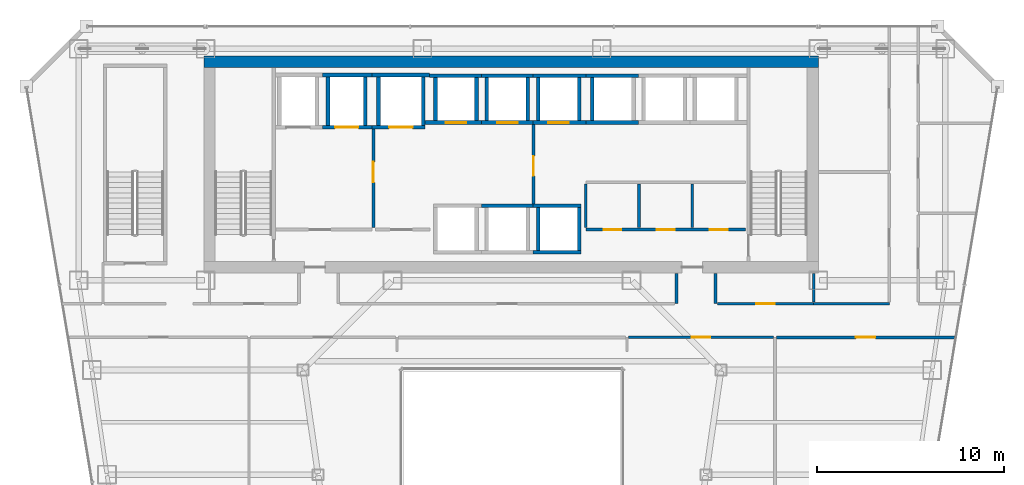
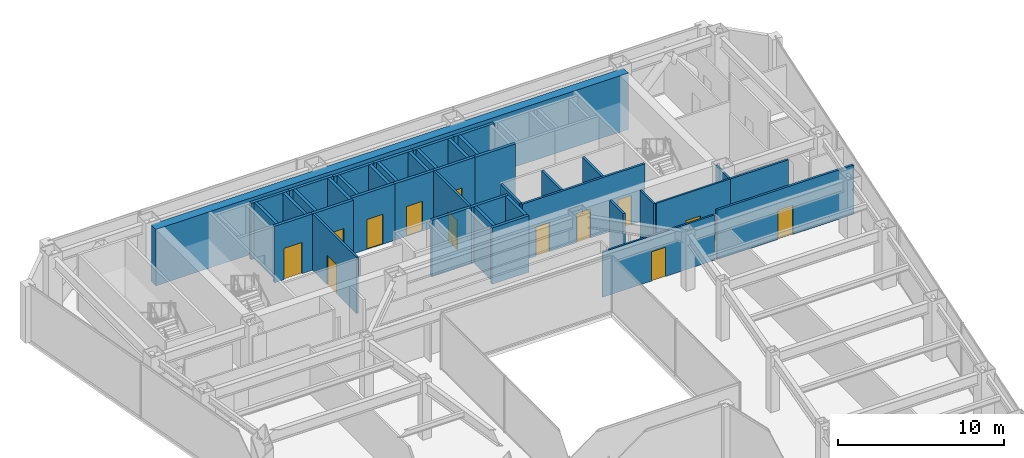
# One storey, part 33 of 37: 42 walls, 13 doors, 13 openings.
"""IFC4 building model written with IfcOpenShell, lengths in metres."""

import ifcopenshell
import ifcopenshell.guid

model = None  # the IFC model being written
_history = None  # IfcOwnerHistory: only IFC2X3 demands one
_inside = {}  # id of a spatial element -> (the spatial element, [elements in it])
_under = {}  # id of a project, library or spatial element -> (it, [spatial elements below it])
_declared = {}  # id of a project -> (the project, [libraries it declares])
_typed = {}  # id of a type object -> (the type object, [elements of that type])
_made_of = {}  # id of a material, layer set ... -> (it, [elements and type objects made of it])


def new_model(schema):
    """Start an empty IFC model of exactly this schema.

    Asked for "IFC4X3", IfcOpenShell would pick the latest addendum, in which some entities
    have other attributes; the version numbers below select the first issue.
    IFC2X3 requires an IfcOwnerHistory on every rooted entity: one is made here for all.
    """
    global model, _history
    if schema == "IFC4X3":
        model = ifcopenshell.file(schema_version=(4, 3, 0, 0))
    else:
        model = ifcopenshell.file(schema=schema)
    _inside.clear()
    _under.clear()
    _declared.clear()
    _typed.clear()
    _made_of.clear()
    _history = None
    if model.schema == "IFC2X3":
        org = make("IfcOrganization", Name="unknown")
        user = make(
            "IfcPersonAndOrganization",
            ThePerson=make("IfcPerson", FamilyName="unknown"),
            TheOrganization=org,
        )
        app = make(
            "IfcApplication",
            ApplicationDeveloper=org,
            Version="unknown",
            ApplicationFullName="unknown",
            ApplicationIdentifier="unknown",
        )
        _history = make(
            "IfcOwnerHistory",
            OwningUser=user,
            OwningApplication=app,
            ChangeAction="ADDED",
            CreationDate=0,
        )
    return model


def make(cls, **values):
    """One entity of the class cls with the attributes given. An attribute that is None is left unset."""
    return model.create_entity(
        cls, **{name: value for name, value in values.items() if value is not None}
    )


def rooted(cls, **values):
    """An entity with a GlobalId (a new one), such as an element, a storey or a relation."""
    return make(cls, GlobalId=ifcopenshell.guid.new(), OwnerHistory=_history, **values)


def si_unit(unit_type, name, prefix=None):
    """IfcSIUnit, for example si_unit("LENGTHUNIT", "METRE", prefix="MILLI")."""
    return make("IfcSIUnit", UnitType=unit_type, Prefix=prefix, Name=name)


def assignment(units):
    """IfcUnitAssignment: the units of a project."""
    return None if units is None else make("IfcUnitAssignment", Units=units)


def point(xyz):
    """IfcCartesianPoint."""
    return None if xyz is None else make("IfcCartesianPoint", Coordinates=xyz)


def direction(xyz):
    """IfcDirection."""
    return None if xyz is None else make("IfcDirection", DirectionRatios=xyz)


def frame(location, z_axis=None, x_axis=None):
    """IfcAxis2Placement3D, a coordinate frame: its origin and axes. An axis left out is left unset."""
    return make(
        "IfcAxis2Placement3D",
        Location=point(location),
        Axis=direction(z_axis),
        RefDirection=direction(x_axis),
    )


def frame_2d(location, x_axis=None):
    """IfcAxis2Placement2D, a coordinate frame in the plane: its origin and x axis."""
    return make(
        "IfcAxis2Placement2D", Location=point(location), RefDirection=direction(x_axis)
    )


def origin():
    """The frame at (0, 0, 0) with its axes left unset."""
    return frame((0.0, 0.0, 0.0))


def place(relative_to, where):
    """IfcLocalPlacement: puts the frame where relative to a parent placement (None: the world)."""
    return make(
        "IfcLocalPlacement", PlacementRelTo=relative_to, RelativePlacement=where
    )


def context(
    kind, dimensions, precision=None, world=None, true_north=None, identifier=None
):
    """IfcGeometricRepresentationContext, for example the 3D "Model" context."""
    return make(
        "IfcGeometricRepresentationContext",
        ContextIdentifier=identifier,
        ContextType=kind,
        CoordinateSpaceDimension=dimensions,
        Precision=precision,
        WorldCoordinateSystem=world,
        TrueNorth=true_north,
    )


def subcontext(parent, identifier, kind, view, scale=None):
    """IfcGeometricRepresentationSubContext, for example "Body" below "Model"."""
    return make(
        "IfcGeometricRepresentationSubContext",
        ContextIdentifier=identifier,
        ContextType=kind,
        ParentContext=parent,
        TargetScale=scale,
        TargetView=view,
    )


def project(units=None, contexts=None):
    """IfcProject with its units and contexts."""
    return rooted(
        "IfcProject",
        Name="project",
        RepresentationContexts=contexts,
        UnitsInContext=assignment(units),
    )


def spatial(cls, under=None, at=None, **own):
    """A site, building, storey or space (cls), placed at a placement, below another one or the project."""
    s = rooted(cls, ObjectPlacement=at, **own)
    if under is not None:
        _under.setdefault(under.id(), (under, []))[1].append(s)
    return s


def profile(cls, at=None, kind="AREA", **sizes):
    """A parametric profile (cls). Its sizes go by their IFC names, for example OverallWidth=200.0."""
    return make(cls, ProfileType=kind, Position=at, **sizes)


def rectangle(**sizes):
    """IfcRectangleProfileDef."""
    return profile("IfcRectangleProfileDef", **sizes)


def extrude(swept, where, along, depth):
    """IfcExtrudedAreaSolid: the profile swept, set in the frame where, extruded along a direction by depth."""
    return make(
        "IfcExtrudedAreaSolid",
        SweptArea=swept,
        Position=where,
        ExtrudedDirection=direction(along),
        Depth=depth,
    )


def shape(context_of_items, identifier, shape_type, items):
    """IfcShapeRepresentation: the items that make up one representation, for example the "Body"."""
    return make(
        "IfcShapeRepresentation",
        ContextOfItems=context_of_items,
        RepresentationIdentifier=identifier,
        RepresentationType=shape_type,
        Items=items,
    )


def material(Name=None, Category=None):
    """IfcMaterial."""
    return make("IfcMaterial", Name=Name, Category=Category)


def layer(
    of_material, thickness, ventilated=None, Name=None, Category=None, Priority=None
):
    """IfcMaterialLayer: one layer of a wall or slab, of a material (None: an air gap)."""
    return make(
        "IfcMaterialLayer",
        Material=of_material,
        LayerThickness=thickness,
        IsVentilated=ventilated,
        Name=Name,
        Category=Category,
        Priority=Priority,
    )


def layer_set(layers, Name=None):
    """IfcMaterialLayerSet."""
    return make("IfcMaterialLayerSet", MaterialLayers=layers, LayerSetName=Name)


def made_of(thing, what):
    """Note that an element or type object is made of a material, layer set ...; save() writes the relation."""
    if what is not None:
        _made_of.setdefault(what.id(), (what, []))[1].append(thing)
    return thing


def type_object(cls, material=None, **own):
    """A type object (cls), such as IfcWallType, which elements share."""
    return made_of(rooted(cls, **own), material)


def element(
    cls,
    number,
    at=None,
    inside=None,
    cuts=None,
    type_object=None,
    material=None,
    context=None,
    identifier="Body",
    shape_type=None,
    held_by="IfcProductDefinitionShape",
    body=None,
    shapes=None,
    **own,
):
    """One element of the class cls, such as IfcWall. Its Tag is "e" and its number.

    at: its placement. inside: the storey or other place that contains it. cuts: it is an
    opening in that element (IfcRelVoidsElement). A single representation is given by context,
    identifier, shape_type and body (its items); several are given by shapes. held_by: the class
    of the entity that holds the representations. save() writes the other relations.
    """
    e = rooted(cls, Tag="e%d" % number, ObjectPlacement=at, **own)
    if body is not None:
        shapes = [shape(context, identifier, shape_type, body)]
    if shapes is not None:
        e.Representation = make(held_by, Representations=shapes)
    if inside is not None:
        _inside.setdefault(inside.id(), (inside, []))[1].append(e)
    if cuts is not None:
        rooted(
            "IfcRelVoidsElement", RelatingBuildingElement=cuts, RelatedOpeningElement=e
        )
    if type_object is not None:
        _typed.setdefault(type_object.id(), (type_object, []))[1].append(e)
    return made_of(e, material)


def fill(opening, filler):
    """IfcRelFillsElement: the door or window that sits in an opening."""
    return rooted(
        "IfcRelFillsElement",
        RelatingOpeningElement=opening,
        RelatedBuildingElement=filler,
    )


def aggregate(whole, parts):
    """IfcRelAggregates: a whole, such as a stair, and the parts it consists of."""
    return rooted("IfcRelAggregates", RelatingObject=whole, RelatedObjects=parts)


def save(model, path):
    """Write the relations noted so far, then the file.

    IfcRelAggregates (storeys below a building ...), IfcRelContainedInSpatialStructure (elements
    in a storey), IfcRelDefinesByType, IfcRelAssociatesMaterial and IfcRelDeclares: one each for
    every whole, place, type object, material and project.
    """
    for whole, parts in _under.values():
        aggregate(whole, parts)
    for where, things in _inside.values():
        rooted(
            "IfcRelContainedInSpatialStructure",
            RelatedElements=things,
            RelatingStructure=where,
        )
    for kind, things in _typed.values():
        rooted("IfcRelDefinesByType", RelatedObjects=things, RelatingType=kind)
    for what, things in _made_of.values():
        rooted("IfcRelAssociatesMaterial", RelatedObjects=things, RelatingMaterial=what)
    for by, libraries in _declared.values():
        rooted("IfcRelDeclares", RelatingContext=by, RelatedDefinitions=libraries)
    model.write(path)


model = new_model("IFC4")

# Units and contexts
model_context = context("Model", 3, precision=1e-05, world=origin(), true_north=direction((0.0, 1.0)))
body_context = subcontext(model_context, "Body", "Model", "MODEL_VIEW")
ifc_project = project(units=[si_unit("LENGTHUNIT", "METRE"), si_unit("AREAUNIT", "SQUARE_METRE"), si_unit("VOLUMEUNIT", "CUBIC_METRE"), si_unit("PLANEANGLEUNIT", "RADIAN"), si_unit("MASSUNIT", "GRAM", prefix="KILO")], contexts=[model_context])

# Site, building, storey
site_placement = place(None, origin())
site = spatial("IfcSite", under=ifc_project, at=site_placement, CompositionType="ELEMENT")
building_placement = place(site_placement, origin())
building = spatial("IfcBuilding", under=site, at=building_placement, Name="Saevonmaru Cultural Tower", CompositionType="ELEMENT")
storey_placement = place(building_placement, frame((0.0, 0.0, 106.0)))
storey = spatial("IfcBuildingStorey", under=building, at=storey_placement, Name="L22", CompositionType="ELEMENT", Elevation=106.0)

# Wall
ifc_material_1 = material(Name="Concrete C60/75", Category="concrete")
ifc_layer_1 = layer(ifc_material_1, 0.60009765625, Name="Concrete C60/75")
ifc_layer_set_1 = layer_set([ifc_layer_1], Name="Concrete C60/75")
wall_type_1 = type_object("IfcWallType", Name="WL-CORE-600", PredefinedType="SHEAR", material=ifc_layer_set_1)
wall_1_placement = place(storey_placement, frame((13.5, 54.10009765625, 0.0), z_axis=(0.0, 0.0, 1.0), x_axis=(1.0, 0.0, 0.0)))
element("IfcWall", 1, at=wall_1_placement, inside=storey, type_object=wall_type_1, Name="L22 Tower RC core shear wall N", PredefinedType="SHEAR", context=body_context, shape_type="SweptSolid", body=[
    extrude(rectangle(XDim=32.89990234375, YDim=0.60009765625, at=frame_2d((16.449951171875, 0.0))), origin(), (0.0, 0.0, 1.0), 4.14990234375),
])

# Wall, opening, door
ifc_material_2 = material(Name="Gypsum Fireboard Partition", Category="gypsum")
ifc_layer_2 = layer(ifc_material_2, 0.14990234375, Name="Gypsum Fireboard Partition")
ifc_layer_set_2 = layer_set([ifc_layer_2], Name="Gypsum Fireboard Partition")
wall_type_2 = type_object("IfcWallType", Name="WL-CORE-PART-150", PredefinedType="PARTITIONING", material=ifc_layer_set_2)
wall_2_placement = place(storey_placement, frame((22.580078125, 50.550048828125, 0.0), z_axis=(0.0, 0.0, 1.0), x_axis=(0.0, -1.0, 0.0)))
wall_2 = element("IfcWall", 2, at=wall_2_placement, inside=storey, type_object=wall_type_2, Name="L22 Firefighting Lift Lobby East Wall", PredefinedType="PARTITIONING", context=body_context, shape_type="SweptSolid", body=[
    extrude(rectangle(XDim=5.330078125, YDim=0.14990234375, at=frame_2d((2.6650390625, 0.0))), origin(), (0.0, 0.0, 1.0), 4.14990234375),
])
opening_1_placement = place(wall_2_placement, frame((1.800048828125, 0.0, 0.0)))
opening_1 = element("IfcOpeningElement", 3, at=opening_1_placement, cuts=wall_2, Name="Opening FD-2", PredefinedType="OPENING", context=body_context, shape_type="SweptSolid", body=[
    extrude(rectangle(XDim=1.10009765625, YDim=2.14990234375, at=frame_2d((0.550048828125, 1.074951171875))), frame((0.0, 0.0849609375, 0.0), z_axis=(0.0, -1.0, 0.0), x_axis=(1.0, 0.0, 0.0)), (0.0, 0.0, 1.0), 0.169921875),
])
ifc_material_3 = material(Name="Satin Bronze Anodised Aluminium", Category="aluminium")
door_type_1 = type_object("IfcDoorType", Name="DR-FD60-1100", OperationType="SINGLE_SWING_LEFT", PredefinedType="DOOR", material=ifc_material_3)
door_1_placement = place(opening_1_placement, origin())
door_1 = element("IfcDoor", 4, at=door_1_placement, inside=storey, type_object=door_type_1, Name="L22 Firefighting Lift Lobby East Door", OperationType="SINGLE_SWING_LEFT", OverallHeight=2.14990234375, OverallWidth=1.10009765625, PredefinedType="DOOR", context=body_context, shape_type="SweptSolid", body=[
    extrude(rectangle(XDim=1.10009765625, YDim=2.14990234375, at=frame_2d((0.550048828125, 1.074951171875))), frame((0.0, 0.02490234375, 0.0), z_axis=(0.0, -1.0, 0.0), x_axis=(1.0, 0.0, 0.0)), (0.0, 0.0, 1.0), 0.050048828125),
])
fill(opening_1, door_1)

wall_3_placement = place(storey_placement, frame((31.14990234375, 46.5, 0.0), z_axis=(0.0, 0.0, 1.0), x_axis=(0.0, 1.0, 0.0)))
wall_3 = element("IfcWall", 5, at=wall_3_placement, inside=storey, type_object=wall_type_2, Name="L22 Lift Zone Baffle 1", PredefinedType="PARTITIONING", context=body_context, shape_type="SweptSolid", body=[
    extrude(rectangle(XDim=4.25, YDim=0.14990234375, at=frame_2d((2.125, 0.0))), origin(), (0.0, 0.0, 1.0), 4.14990234375),
])
opening_2_placement = place(wall_3_placement, frame((1.5, 0.0, 0.0)))
opening_2 = element("IfcOpeningElement", 6, at=opening_2_placement, cuts=wall_3, Name="Opening ID-1", PredefinedType="OPENING", context=body_context, shape_type="SweptSolid", body=[
    extrude(rectangle(XDim=1.050048828125, YDim=2.14990234375, at=frame_2d((0.52490234375, 1.074951171875))), frame((0.0, 0.0849609375, 0.0), z_axis=(0.0, -1.0, 0.0), x_axis=(1.0, 0.0, 0.0)), (0.0, 0.0, 1.0), 0.169921875),
])
door_type_2 = type_object("IfcDoorType", Name="DR-INT-1050", OperationType="SINGLE_SWING_LEFT", PredefinedType="DOOR", material=ifc_material_3)
door_2_placement = place(opening_2_placement, origin())
door_2 = element("IfcDoor", 7, at=door_2_placement, inside=storey, type_object=door_type_2, Name="L22 West-Mid Lobby Portal", OperationType="SINGLE_SWING_LEFT", OverallHeight=2.14990234375, OverallWidth=1.050048828125, PredefinedType="DOOR", context=body_context, shape_type="SweptSolid", body=[
    extrude(rectangle(XDim=1.050048828125, YDim=2.14990234375, at=frame_2d((0.52490234375, 1.074951171875))), frame((0.0, 0.02490234375, 0.0), z_axis=(0.0, -1.0, 0.0), x_axis=(1.0, 0.0, 0.0)), (0.0, 0.0, 1.0), 0.050048828125),
])
fill(opening_2, door_2)

# Wall, openings, doors
wall_4_placement = place(storey_placement, frame((33.949951171875, 45.1201171875, 0.0), z_axis=(0.0, 0.0, 1.0), x_axis=(1.0, 0.0, 0.0)))
wall_4 = element("IfcWall", 8, at=wall_4_placement, inside=storey, type_object=wall_type_2, Name="L22 Core Utility South Wall", PredefinedType="PARTITIONING", context=body_context, shape_type="SweptSolid", body=[
    extrude(rectangle(XDim=8.550048828125, YDim=0.14990234375, at=frame_2d((4.27490234375, 0.0))), origin(), (0.0, 0.0, 1.0), 4.14990234375),
])
opening_3_placement = place(wall_4_placement, frame((0.949951171875, 0.0, 0.0)))
opening_3 = element("IfcOpeningElement", 9, at=opening_3_placement, cuts=wall_4, Name="Opening FD-4", PredefinedType="OPENING", context=body_context, shape_type="SweptSolid", body=[
    extrude(rectangle(XDim=0.949951171875, YDim=2.14990234375, at=frame_2d((0.47509765625, 1.074951171875))), frame((0.0, 0.0849609375, 0.0), z_axis=(0.0, -1.0, 0.0), x_axis=(1.0, 0.0, 0.0)), (0.0, 0.0, 1.0), 0.169921875),
])
opening_4_placement = place(wall_4_placement, frame((3.800048828125, 0.0, 0.0)))
opening_4 = element("IfcOpeningElement", 10, at=opening_4_placement, cuts=wall_4, Name="Opening FD-4", PredefinedType="OPENING", context=body_context, shape_type="SweptSolid", body=[
    extrude(rectangle(XDim=0.949951171875, YDim=2.14990234375, at=frame_2d((0.47509765625, 1.074951171875))), frame((0.0, 0.0849609375, 0.0), z_axis=(0.0, -1.0, 0.0), x_axis=(1.0, 0.0, 0.0)), (0.0, 0.0, 1.0), 0.169921875),
])
opening_5_placement = place(wall_4_placement, frame((6.64990234375, 0.0, 0.0)))
opening_5 = element("IfcOpeningElement", 11, at=opening_5_placement, cuts=wall_4, Name="Opening FD-4", PredefinedType="OPENING", context=body_context, shape_type="SweptSolid", body=[
    extrude(rectangle(XDim=0.949951171875, YDim=2.14990234375, at=frame_2d((0.47509765625, 1.074951171875))), frame((0.0, 0.0849609375, 0.0), z_axis=(0.0, -1.0, 0.0), x_axis=(1.0, 0.0, 0.0)), (0.0, 0.0, 1.0), 0.169921875),
])
door_type_3 = type_object("IfcDoorType", Name="DR-FD60-950", OperationType="SINGLE_SWING_LEFT", PredefinedType="DOOR", material=ifc_material_3)
door_3_placement = place(opening_3_placement, origin())
door_3 = element("IfcDoor", 12, at=door_3_placement, inside=storey, type_object=door_type_3, Name="L22 Meter Plant Door", OperationType="SINGLE_SWING_LEFT", OverallHeight=2.14990234375, OverallWidth=0.949951171875, PredefinedType="DOOR", context=body_context, shape_type="SweptSolid", body=[
    extrude(rectangle(XDim=0.949951171875, YDim=2.14990234375, at=frame_2d((0.47509765625, 1.074951171875))), frame((0.0, 0.02490234375, 0.0), z_axis=(0.0, -1.0, 0.0), x_axis=(1.0, 0.0, 0.0)), (0.0, 0.0, 1.0), 0.050048828125),
])
fill(opening_3, door_3)
door_4_placement = place(opening_4_placement, origin())
door_4 = element("IfcDoor", 13, at=door_4_placement, inside=storey, type_object=door_type_3, Name="L22 AV Rack Plant Door", OperationType="SINGLE_SWING_LEFT", OverallHeight=2.14990234375, OverallWidth=0.949951171875, PredefinedType="DOOR", context=body_context, shape_type="SweptSolid", body=[
    extrude(rectangle(XDim=0.949951171875, YDim=2.14990234375, at=frame_2d((0.47509765625, 1.074951171875))), frame((0.0, 0.02490234375, 0.0), z_axis=(0.0, -1.0, 0.0), x_axis=(1.0, 0.0, 0.0)), (0.0, 0.0, 1.0), 0.050048828125),
])
fill(opening_4, door_4)
door_5_placement = place(opening_5_placement, origin())
door_5 = element("IfcDoor", 14, at=door_5_placement, inside=storey, type_object=door_type_3, Name="L22 Archive Supply Storage Door", OperationType="SINGLE_SWING_LEFT", OverallHeight=2.14990234375, OverallWidth=0.949951171875, PredefinedType="DOOR", context=body_context, shape_type="SweptSolid", body=[
    extrude(rectangle(XDim=0.949951171875, YDim=2.14990234375, at=frame_2d((0.47509765625, 1.074951171875))), frame((0.0, 0.02490234375, 0.0), z_axis=(0.0, -1.0, 0.0), x_axis=(1.0, 0.0, 0.0)), (0.0, 0.0, 1.0), 0.050048828125),
])
fill(opening_5, door_5)

# Walls
for number, where, z_axis, x_axis, name in (
    (15, (33.949951171875, 45.219970703125, 0.0), (0.0, 0.0, 1.0), (0.0, 1.0, 0.0), "L22 Core Utility West Wall"),
    (16, (36.800048828125, 45.219970703125, 0.0), (0.0, 0.0, 1.0), (0.0, 1.0, 0.0), "L22 Utility Divider 1"),
    (17, (39.64990234375, 45.219970703125, 0.0), (0.0, 0.0, 1.0), (0.0, 1.0, 0.0), "L22 Utility Divider 2"),
):
    element("IfcWall", number, at=place(storey_placement, frame(where, z_axis=z_axis, x_axis=x_axis)), inside=storey, type_object=wall_type_2, Name=name, PredefinedType="PARTITIONING", context=body_context, shape_type="SweptSolid", body=[
        extrude(rectangle(XDim=2.330078125, YDim=0.14990234375, at=frame_2d((1.1650390625, 0.0))), origin(), (0.0, 0.0, 1.0), 4.14990234375),
    ])
ifc_layer_3 = layer(ifc_material_2, 0.14990234375, Name="Gypsum Fireboard Partition")
ifc_layer_set_3 = layer_set([ifc_layer_3], Name="Gypsum Fireboard Partition")
wall_type_3 = type_object("IfcWallType", Name="WL-PART-FIRE-150", PredefinedType="PARTITIONING", material=ifc_layer_set_3)
for number, where, z_axis, x_axis, name in (
    (18, (38.800048828125, 41.14990234375, 0.0), (0.0, 0.0, 1.0), (0.0, 1.0, 0.0), "L22 Core Portal Side Wall E1"),
    (19, (40.89990234375, 41.14990234375, 0.0), (0.0, 0.0, 1.0), (0.0, 1.0, 0.0), "L22 Core Portal Side Wall E2"),
):
    element("IfcWall", number, at=place(storey_placement, frame(where, z_axis=z_axis, x_axis=x_axis)), inside=storey, type_object=wall_type_3, Name=name, PredefinedType="PARTITIONING", context=body_context, shape_type="SweptSolid", body=[
        extrude(rectangle(XDim=1.630126953125, YDim=0.14990234375, at=frame_2d((0.81494140625, 0.0))), origin(), (0.0, 0.0, 1.0), 4.14990234375),
    ])

# Wall, opening, door
wall_5_placement = place(storey_placement, frame((44.16748046875, 39.35009765625, 0.0), z_axis=(0.0, 0.0, 1.0), x_axis=(1.0, 0.0, 0.0)))
wall_5 = element("IfcWall", 20, at=wall_5_placement, inside=storey, type_object=wall_type_3, Name="L22 Skyline Exhibition Gallery Corridor Wall", PredefinedType="PARTITIONING", context=body_context, shape_type="SweptSolid", body=[
    extrude(rectangle(XDim=9.527587890625, YDim=0.14990234375, at=frame_2d((4.763671875, 0.0))), origin(), (0.0, 0.0, 1.0), 3.635009765625),
])
opening_6_placement = place(wall_5_placement, frame((4.239013671875, 0.0, 0.0)))
opening_6 = element("IfcOpeningElement", 21, at=opening_6_placement, cuts=wall_5, Name="Opening ID-1", PredefinedType="OPENING", context=body_context, shape_type="SweptSolid", body=[
    extrude(rectangle(XDim=1.050048828125, YDim=2.14990234375, at=frame_2d((0.52490234375, 1.074951171875))), frame((0.0, 0.0849609375, 0.0), z_axis=(0.0, -1.0, 0.0), x_axis=(1.0, 0.0, 0.0)), (0.0, 0.0, 1.0), 0.169921875),
])
door_6_placement = place(opening_6_placement, origin())
door_6 = element("IfcDoor", 22, at=door_6_placement, inside=storey, type_object=door_type_2, Name="L22 Skyline Exhibition Gallery Door", OperationType="SINGLE_SWING_LEFT", OverallHeight=2.14990234375, OverallWidth=1.050048828125, PredefinedType="DOOR", context=body_context, shape_type="SweptSolid", body=[
    extrude(rectangle(XDim=1.050048828125, YDim=2.14990234375, at=frame_2d((0.52490234375, 1.074951171875))), frame((0.0, 0.02490234375, 0.0), z_axis=(0.0, -1.0, 0.0), x_axis=(1.0, 0.0, 0.0)), (0.0, 0.0, 1.0), 0.050048828125),
])
fill(opening_6, door_6)

ifc_layer_4 = layer(ifc_material_2, 0.1201171875, Name="Gypsum Fireboard Partition")
ifc_layer_set_4 = layer_set([ifc_layer_4], Name="Gypsum Fireboard Partition")
wall_type_4 = type_object("IfcWallType", Name="WL-PART-GYP-120", PredefinedType="PARTITIONING", material=ifc_layer_set_4)
wall_6_placement = place(storey_placement, frame((40.9951171875, 41.14990234375, 0.0), z_axis=(0.0, 0.0, 1.0), x_axis=(1.0, 0.0, 0.0)))
wall_6 = element("IfcWall", 23, at=wall_6_placement, inside=storey, type_object=wall_type_4, Name="L22 Terrace Overlook Cafe Corridor Wall", PredefinedType="PARTITIONING", context=body_context, shape_type="SweptSolid", body=[
    extrude(rectangle(XDim=5.15478515625, YDim=0.1201171875, at=frame_2d((2.577392578125, 0.0))), origin(), (0.0, 0.0, 1.0), 4.14990234375),
])
opening_7_placement = place(wall_6_placement, frame((2.077880859375, 0.0, 0.0)))
opening_7 = element("IfcOpeningElement", 24, at=opening_7_placement, cuts=wall_6, Name="Opening ID-1B", PredefinedType="OPENING", context=body_context, shape_type="SweptSolid", body=[
    extrude(rectangle(XDim=1.0, YDim=2.14990234375, at=frame_2d((0.5, 1.074951171875))), frame((0.0, 0.070068359375, 0.0), z_axis=(0.0, -1.0, 0.0), x_axis=(1.0, 0.0, 0.0)), (0.0, 0.0, 1.0), 0.14013671875),
])
ifc_material_4 = material(Name="Acoustic Stained Oak Timber", Category="wood")
door_type_4 = type_object("IfcDoorType", Name="DR-INT-1000", OperationType="SINGLE_SWING_RIGHT", PredefinedType="DOOR", material=ifc_material_4)
door_7_placement = place(opening_7_placement, origin())
door_7 = element("IfcDoor", 25, at=door_7_placement, inside=storey, type_object=door_type_4, Name="L22 Terrace Overlook Cafe Door", OperationType="SINGLE_SWING_LEFT", OverallHeight=2.14990234375, OverallWidth=1.0, PredefinedType="DOOR", context=body_context, shape_type="SweptSolid", body=[
    extrude(rectangle(XDim=1.0, YDim=2.14990234375, at=frame_2d((0.5, 1.074951171875))), frame((0.0, 0.02490234375, 0.0), z_axis=(0.0, -1.0, 0.0), x_axis=(1.0, 0.0, 0.0)), (0.0, 0.0, 1.0), 0.050048828125),
])
fill(opening_7, door_7)

wall_7_placement = place(storey_placement, frame((36.22998046875, 39.35009765625, 0.0), z_axis=(0.0, 0.0, 1.0), x_axis=(1.0, 0.0, 0.0)))
wall_7 = element("IfcWall", 26, at=wall_7_placement, inside=storey, type_object=wall_type_4, Name="L22 Terrace Overlook Cafe Corridor Wall", PredefinedType="PARTITIONING", context=body_context, shape_type="SweptSolid", body=[
    extrude(rectangle(XDim=7.762451171875, YDim=0.1201171875, at=frame_2d((3.88134765625, 0.0))), origin(), (0.0, 0.0, 1.0), 3.3349609375),
])
opening_8_placement = place(wall_7_placement, frame((3.381103515625, 0.0, 0.0)))
opening_8 = element("IfcOpeningElement", 27, at=opening_8_placement, cuts=wall_7, Name="Opening ID-1B", PredefinedType="OPENING", context=body_context, shape_type="SweptSolid", body=[
    extrude(rectangle(XDim=1.0, YDim=2.14990234375, at=frame_2d((0.5, 1.074951171875))), frame((0.0, 0.070068359375, 0.0), z_axis=(0.0, -1.0, 0.0), x_axis=(1.0, 0.0, 0.0)), (0.0, 0.0, 1.0), 0.14013671875),
])
door_8_placement = place(opening_8_placement, origin())
door_8 = element("IfcDoor", 28, at=door_8_placement, inside=storey, type_object=door_type_4, Name="L22 Terrace Overlook Cafe Door", OperationType="SINGLE_SWING_RIGHT", OverallHeight=2.14990234375, OverallWidth=1.0, PredefinedType="DOOR", context=body_context, shape_type="SweptSolid", body=[
    extrude(rectangle(XDim=1.0, YDim=2.14990234375, at=frame_2d((0.5, 1.074951171875))), frame((0.0, 0.02490234375, 0.0), z_axis=(0.0, -1.0, 0.0), x_axis=(1.0, 0.0, 0.0)), (0.0, 0.0, 1.0), 0.050048828125),
])
fill(opening_8, door_8)

# Walls
ifc_layer_5 = layer(ifc_material_2, 0.139892578125, Name="Gypsum Fireboard Partition")
ifc_layer_set_5 = layer_set([ifc_layer_5], Name="Gypsum Fireboard Partition")
wall_type_5 = type_object("IfcWallType", Name="WL-PART-WET-140", PredefinedType="PARTITIONING", material=ifc_layer_set_5)
wall_8_placement = place(storey_placement, frame((46.14990234375, 41.14990234375, 0.0), z_axis=(0.0, 0.0, 1.0), x_axis=(1.0, 0.0, 0.0)))
element("IfcWall", 29, at=wall_8_placement, inside=storey, type_object=wall_type_5, Name="L22 Washroom South Wall", PredefinedType="PARTITIONING", context=body_context, shape_type="SweptSolid", body=[
    extrude(rectangle(XDim=4.050048828125, YDim=0.139892578125, at=frame_2d((2.02490234375, 0.0))), origin(), (0.0, 0.0, 1.0), 4.14990234375),
])
wall_9_placement = place(storey_placement, frame((46.14990234375, 41.239990234375, 0.0), z_axis=(0.0, 0.0, 1.0), x_axis=(0.0, 1.0, 0.0)))
element("IfcWall", 30, at=wall_9_placement, inside=storey, type_object=wall_type_5, Name="L22 Washroom South-West Return", PredefinedType="PARTITIONING", context=body_context, shape_type="SweptSolid", body=[
    extrude(rectangle(XDim=1.5400390625, YDim=0.139892578125, at=frame_2d((0.77001953125, 0.0))), origin(), (0.0, 0.0, 1.0), 4.14990234375),
])

# Wall, opening, door
ifc_material_5 = material(Name="Concrete C40/50", Category="concrete")
ifc_layer_6 = layer(ifc_material_5, 0.199951171875, Name="Concrete C40/50")
ifc_layer_set_6 = layer_set([ifc_layer_6], Name="Concrete C40/50")
wall_type_6 = type_object("IfcWallType", Name="WL-SHAFT-200", PredefinedType="SHEAR", material=ifc_layer_set_6)
wall_10_placement = place(storey_placement, frame((19.85009765625, 50.60009765625, 0.0), z_axis=(0.0, 0.0, 1.0), x_axis=(1.0, 0.0, 0.0)))
wall_10 = element("IfcWall", 31, at=wall_10_placement, inside=storey, type_object=wall_type_6, Name="L22 Lift FFL-2 Hoistway Wall S", PredefinedType="SHEAR", context=body_context, shape_type="SweptSolid", body=[
    extrude(rectangle(XDim=2.64990234375, YDim=0.199951171875, at=frame_2d((1.324951171875, 0.0))), origin(), (0.0, 0.0, 1.0), 4.14990234375),
])
opening_9_placement = place(wall_10_placement, frame((0.675048828125, 0.0, 0.0)))
opening_9 = element("IfcOpeningElement", 32, at=opening_9_placement, cuts=wall_10, Name="Opening LD-2", PredefinedType="OPENING", context=body_context, shape_type="SweptSolid", body=[
    extrude(rectangle(XDim=1.25, YDim=2.300048828125, at=frame_2d((0.625, 1.14990234375))), frame((0.0, 0.10986328125, 0.0), z_axis=(0.0, -1.0, 0.0), x_axis=(1.0, 0.0, 0.0)), (0.0, 0.0, 1.0), 0.219970703125),
])
ifc_material_6 = material(Name="Stainless Steel 316", Category="steel")
door_type_5 = type_object("IfcDoorType", Name="DR-LIFT-1250", OperationType="SLIDING_TO_LEFT", PredefinedType="DOOR", material=ifc_material_6)
door_9_placement = place(opening_9_placement, origin())
door_9 = element("IfcDoor", 33, at=door_9_placement, inside=storey, type_object=door_type_5, Name="L22 Lift FFL-2 Sliding Landing Door", OperationType="SLIDING_TO_LEFT", OverallHeight=2.300048828125, OverallWidth=1.25, PredefinedType="DOOR", context=body_context, shape_type="SweptSolid", body=[
    extrude(rectangle(XDim=1.25, YDim=2.300048828125, at=frame_2d((0.625, 1.14990234375))), frame((0.0, 0.02490234375, 0.0), z_axis=(0.0, -1.0, 0.0), x_axis=(1.0, 0.0, 0.0)), (0.0, 0.0, 1.0), 0.050048828125),
])
fill(opening_9, door_9)

# Walls
wall_11_placement = place(storey_placement, frame((19.85009765625, 53.39990234375, 0.0), z_axis=(0.0, 0.0, 1.0), x_axis=(1.0, 0.0, 0.0)))
element("IfcWall", 34, at=wall_11_placement, inside=storey, type_object=wall_type_6, Name="L22 Lift FFL-2 Hoistway Wall N", PredefinedType="SHEAR", context=body_context, shape_type="SweptSolid", body=[
    extrude(rectangle(XDim=2.64990234375, YDim=0.199951171875, at=frame_2d((1.324951171875, 0.0))), origin(), (0.0, 0.0, 1.0), 4.14990234375),
])
for number, where, z_axis, x_axis, name in (
    (35, (20.14990234375, 50.699951171875, 0.0), (0.0, 0.0, 1.0), (0.0, 1.0, 0.0), "L22 Lift FFL-2 Hoistway Wall W"),
    (36, (22.14990234375, 50.699951171875, 0.0), (0.0, 0.0, 1.0), (0.0, 1.0, 0.0), "L22 Lift FFL-2 Hoistway Wall E"),
):
    element("IfcWall", number, at=place(storey_placement, frame(where, z_axis=z_axis, x_axis=x_axis)), inside=storey, type_object=wall_type_6, Name=name, PredefinedType="SHEAR", context=body_context, shape_type="SweptSolid", body=[
        extrude(rectangle(XDim=2.60009765625, YDim=0.199951171875, at=frame_2d((1.300048828125, 0.0))), origin(), (0.0, 0.0, 1.0), 4.14990234375),
    ])

# Wall, opening, door
wall_12_placement = place(storey_placement, frame((22.5, 50.60009765625, 0.0), z_axis=(0.0, 0.0, 1.0), x_axis=(1.0, 0.0, 0.0)))
wall_12 = element("IfcWall", 37, at=wall_12_placement, inside=storey, type_object=wall_type_6, Name="L22 Lift GL-1 Hoistway Wall S", PredefinedType="SHEAR", context=body_context, shape_type="SweptSolid", body=[
    extrude(rectangle(XDim=2.85009765625, YDim=0.199951171875, at=frame_2d((1.425048828125, 0.0))), origin(), (0.0, 0.0, 1.0), 4.14990234375),
])
opening_10_placement = place(wall_12_placement, frame((0.925048828125, 0.0, 0.0)))
opening_10 = element("IfcOpeningElement", 38, at=opening_10_placement, cuts=wall_12, Name="Opening LD-2", PredefinedType="OPENING", context=body_context, shape_type="SweptSolid", body=[
    extrude(rectangle(XDim=1.25, YDim=2.300048828125, at=frame_2d((0.625, 1.14990234375))), frame((0.0, 0.10986328125, 0.0), z_axis=(0.0, -1.0, 0.0), x_axis=(1.0, 0.0, 0.0)), (0.0, 0.0, 1.0), 0.219970703125),
])
door_10_placement = place(opening_10_placement, origin())
door_10 = element("IfcDoor", 39, at=door_10_placement, inside=storey, type_object=door_type_5, Name="L22 Lift GL-1 Sliding Landing Door", OperationType="SLIDING_TO_LEFT", OverallHeight=2.300048828125, OverallWidth=1.25, PredefinedType="DOOR", context=body_context, shape_type="SweptSolid", body=[
    extrude(rectangle(XDim=1.25, YDim=2.300048828125, at=frame_2d((0.625, 1.14990234375))), frame((0.0, 0.02490234375, 0.0), z_axis=(0.0, -1.0, 0.0), x_axis=(1.0, 0.0, 0.0)), (0.0, 0.0, 1.0), 0.050048828125),
])
fill(opening_10, door_10)

# Walls
wall_13_placement = place(storey_placement, frame((22.5, 53.39990234375, 0.0), z_axis=(0.0, 0.0, 1.0), x_axis=(1.0, 0.0, 0.0)))
element("IfcWall", 40, at=wall_13_placement, inside=storey, type_object=wall_type_6, Name="L22 Lift GL-1 Hoistway Wall N", PredefinedType="SHEAR", context=body_context, shape_type="SweptSolid", body=[
    extrude(rectangle(XDim=3.074951171875, YDim=0.199951171875, at=frame_2d((1.53759765625, 0.0))), origin(), (0.0, 0.0, 1.0), 4.14990234375),
])
for number, where, z_axis, x_axis, name in (
    (41, (22.85009765625, 50.699951171875, 0.0), (0.0, 0.0, 1.0), (0.0, 1.0, 0.0), "L22 Lift GL-1 Hoistway Wall W"),
    (42, (25.25, 50.699951171875, 0.0), (0.0, 0.0, 1.0), (0.0, 1.0, 0.0), "L22 Lift GL-1 Hoistway Wall E"),
):
    element("IfcWall", number, at=place(storey_placement, frame(where, z_axis=z_axis, x_axis=x_axis)), inside=storey, type_object=wall_type_6, Name=name, PredefinedType="SHEAR", context=body_context, shape_type="SweptSolid", body=[
        extrude(rectangle(XDim=2.60009765625, YDim=0.199951171875, at=frame_2d((1.300048828125, 0.0))), origin(), (0.0, 0.0, 1.0), 4.14990234375),
    ])

# Wall, opening, door
wall_14_placement = place(storey_placement, frame((25.35009765625, 50.85009765625, 0.0), z_axis=(0.0, 0.0, 1.0), x_axis=(1.0, 0.0, 0.0)))
wall_14 = element("IfcWall", 43, at=wall_14_placement, inside=storey, type_object=wall_type_6, Name="L22 Lift PL-L1 Hoistway Wall S", PredefinedType="SHEAR", context=body_context, shape_type="SweptSolid", body=[
    extrude(rectangle(XDim=3.02490234375, YDim=0.199951171875, at=frame_2d((1.512451171875, 0.0))), origin(), (0.0, 0.0, 1.0), 4.14990234375),
])
opening_11_placement = place(wall_14_placement, frame((1.10009765625, 0.0, 0.0)))
opening_11 = element("IfcOpeningElement", 44, at=opening_11_placement, cuts=wall_14, Name="Opening LD-1", PredefinedType="OPENING", context=body_context, shape_type="SweptSolid", body=[
    extrude(rectangle(XDim=1.10009765625, YDim=2.199951171875, at=frame_2d((0.550048828125, 1.10009765625))), frame((0.0, 0.10986328125, 0.0), z_axis=(0.0, -1.0, 0.0), x_axis=(1.0, 0.0, 0.0)), (0.0, 0.0, 1.0), 0.219970703125),
])
ifc_material_7 = material(Name="Satin Bronze Stainless Steel", Category="steel")
door_type_6 = type_object("IfcDoorType", Name="DR-LIFT-1100", OperationType="SLIDING_TO_LEFT", PredefinedType="DOOR", material=ifc_material_7)
door_11_placement = place(opening_11_placement, origin())
door_11 = element("IfcDoor", 45, at=door_11_placement, inside=storey, type_object=door_type_6, Name="L22 Lift PL-L1 Sliding Landing Door", OperationType="SLIDING_TO_LEFT", OverallHeight=2.199951171875, OverallWidth=1.10009765625, PredefinedType="DOOR", context=body_context, shape_type="SweptSolid", body=[
    extrude(rectangle(XDim=1.10009765625, YDim=2.199951171875, at=frame_2d((0.550048828125, 1.10009765625))), frame((0.0, 0.02490234375, 0.0), z_axis=(0.0, -1.0, 0.0), x_axis=(1.0, 0.0, 0.0)), (0.0, 0.0, 1.0), 0.050048828125),
])
fill(opening_11, door_11)

# Walls
wall_15_placement = place(storey_placement, frame((25.574951171875, 53.35009765625, 0.0), z_axis=(0.0, 0.0, 1.0), x_axis=(1.0, 0.0, 0.0)))
element("IfcWall", 46, at=wall_15_placement, inside=storey, type_object=wall_type_6, Name="L22 Lift PL-L1 Hoistway Wall N", PredefinedType="SHEAR", context=body_context, shape_type="SweptSolid", body=[
    extrude(rectangle(XDim=2.800048828125, YDim=0.199951171875, at=frame_2d((1.39990234375, 0.0))), origin(), (0.0, 0.0, 1.0), 4.14990234375),
])
for number, where, z_axis, x_axis, name in (
    (47, (25.89990234375, 50.949951171875, 0.0), (0.0, 0.0, 1.0), (0.0, 1.0, 0.0), "L22 Lift PL-L1 Hoistway Wall W"),
    (48, (28.10009765625, 50.949951171875, 0.0), (0.0, 0.0, 1.0), (0.0, 1.0, 0.0), "L22 Lift PL-L1 Hoistway Wall E"),
):
    element("IfcWall", number, at=place(storey_placement, frame(where, z_axis=z_axis, x_axis=x_axis)), inside=storey, type_object=wall_type_6, Name=name, PredefinedType="SHEAR", context=body_context, shape_type="SweptSolid", body=[
        extrude(rectangle(XDim=2.300048828125, YDim=0.199951171875, at=frame_2d((1.14990234375, 0.0))), origin(), (0.0, 0.0, 1.0), 4.14990234375),
    ])

# Wall, opening, door
wall_16_placement = place(storey_placement, frame((28.375, 50.85009765625, 0.0), z_axis=(0.0, 0.0, 1.0), x_axis=(1.0, 0.0, 0.0)))
wall_16 = element("IfcWall", 49, at=wall_16_placement, inside=storey, type_object=wall_type_6, Name="L22 Lift PL-L2 Hoistway Wall S", PredefinedType="SHEAR", context=body_context, shape_type="SweptSolid", body=[
    extrude(rectangle(XDim=2.75, YDim=0.199951171875, at=frame_2d((1.375, 0.0))), origin(), (0.0, 0.0, 1.0), 4.14990234375),
])
opening_12_placement = place(wall_16_placement, frame((0.824951171875, 0.0, 0.0)))
opening_12 = element("IfcOpeningElement", 50, at=opening_12_placement, cuts=wall_16, Name="Opening LD-1", PredefinedType="OPENING", context=body_context, shape_type="SweptSolid", body=[
    extrude(rectangle(XDim=1.10009765625, YDim=2.199951171875, at=frame_2d((0.550048828125, 1.10009765625))), frame((0.0, 0.10986328125, 0.0), z_axis=(0.0, -1.0, 0.0), x_axis=(1.0, 0.0, 0.0)), (0.0, 0.0, 1.0), 0.219970703125),
])
door_12_placement = place(opening_12_placement, origin())
door_12 = element("IfcDoor", 51, at=door_12_placement, inside=storey, type_object=door_type_6, Name="L22 Lift PL-L2 Sliding Landing Door", OperationType="SLIDING_TO_LEFT", OverallHeight=2.199951171875, OverallWidth=1.10009765625, PredefinedType="DOOR", context=body_context, shape_type="SweptSolid", body=[
    extrude(rectangle(XDim=1.10009765625, YDim=2.199951171875, at=frame_2d((0.550048828125, 1.10009765625))), frame((0.0, 0.02490234375, 0.0), z_axis=(0.0, -1.0, 0.0), x_axis=(1.0, 0.0, 0.0)), (0.0, 0.0, 1.0), 0.050048828125),
])
fill(opening_12, door_12)

# Walls
wall_17_placement = place(storey_placement, frame((28.375, 53.35009765625, 0.0), z_axis=(0.0, 0.0, 1.0), x_axis=(1.0, 0.0, 0.0)))
element("IfcWall", 52, at=wall_17_placement, inside=storey, type_object=wall_type_6, Name="L22 Lift PL-L2 Hoistway Wall N", PredefinedType="SHEAR", context=body_context, shape_type="SweptSolid", body=[
    extrude(rectangle(XDim=2.75, YDim=0.199951171875, at=frame_2d((1.375, 0.0))), origin(), (0.0, 0.0, 1.0), 4.14990234375),
])
for number, where, z_axis, x_axis, name in (
    (53, (28.64990234375, 50.949951171875, 0.0), (0.0, 0.0, 1.0), (0.0, 1.0, 0.0), "L22 Lift PL-L2 Hoistway Wall W"),
    (54, (30.85009765625, 50.949951171875, 0.0), (0.0, 0.0, 1.0), (0.0, 1.0, 0.0), "L22 Lift PL-L2 Hoistway Wall E"),
):
    element("IfcWall", number, at=place(storey_placement, frame(where, z_axis=z_axis, x_axis=x_axis)), inside=storey, type_object=wall_type_6, Name=name, PredefinedType="SHEAR", context=body_context, shape_type="SweptSolid", body=[
        extrude(rectangle(XDim=2.300048828125, YDim=0.199951171875, at=frame_2d((1.14990234375, 0.0))), origin(), (0.0, 0.0, 1.0), 4.14990234375),
    ])

# Wall, opening, door
wall_18_placement = place(storey_placement, frame((31.125, 50.85009765625, 0.0), z_axis=(0.0, 0.0, 1.0), x_axis=(1.0, 0.0, 0.0)))
wall_18 = element("IfcWall", 55, at=wall_18_placement, inside=storey, type_object=wall_type_6, Name="L22 Lift PL-L3 Hoistway Wall S", PredefinedType="SHEAR", context=body_context, shape_type="SweptSolid", body=[
    extrude(rectangle(XDim=2.824951171875, YDim=0.199951171875, at=frame_2d((1.41259765625, 0.0))), origin(), (0.0, 0.0, 1.0), 4.14990234375),
])
opening_13_placement = place(wall_18_placement, frame((0.824951171875, 0.0, 0.0)))
opening_13 = element("IfcOpeningElement", 56, at=opening_13_placement, cuts=wall_18, Name="Opening LD-1", PredefinedType="OPENING", context=body_context, shape_type="SweptSolid", body=[
    extrude(rectangle(XDim=1.10009765625, YDim=2.199951171875, at=frame_2d((0.550048828125, 1.10009765625))), frame((0.0, 0.10986328125, 0.0), z_axis=(0.0, -1.0, 0.0), x_axis=(1.0, 0.0, 0.0)), (0.0, 0.0, 1.0), 0.219970703125),
])
door_13_placement = place(opening_13_placement, origin())
door_13 = element("IfcDoor", 57, at=door_13_placement, inside=storey, type_object=door_type_6, Name="L22 Lift PL-L3 Sliding Landing Door", OperationType="SLIDING_TO_LEFT", OverallHeight=2.199951171875, OverallWidth=1.10009765625, PredefinedType="DOOR", context=body_context, shape_type="SweptSolid", body=[
    extrude(rectangle(XDim=1.10009765625, YDim=2.199951171875, at=frame_2d((0.550048828125, 1.10009765625))), frame((0.0, 0.02490234375, 0.0), z_axis=(0.0, -1.0, 0.0), x_axis=(1.0, 0.0, 0.0)), (0.0, 0.0, 1.0), 0.050048828125),
])
fill(opening_13, door_13)

# Walls
wall_19_placement = place(storey_placement, frame((31.125, 53.35009765625, 0.0), z_axis=(0.0, 0.0, 1.0), x_axis=(1.0, 0.0, 0.0)))
element("IfcWall", 58, at=wall_19_placement, inside=storey, type_object=wall_type_6, Name="L22 Lift PL-L3 Hoistway Wall N", PredefinedType="SHEAR", context=body_context, shape_type="SweptSolid", body=[
    extrude(rectangle(XDim=2.824951171875, YDim=0.199951171875, at=frame_2d((1.41259765625, 0.0))), origin(), (0.0, 0.0, 1.0), 4.14990234375),
])
for number, where, z_axis, x_axis, name in (
    (59, (31.39990234375, 50.949951171875, 0.0), (0.0, 0.0, 1.0), (0.0, 1.0, 0.0), "L22 Lift PL-L3 Hoistway Wall W"),
    (60, (33.60009765625, 50.949951171875, 0.0), (0.0, 0.0, 1.0), (0.0, 1.0, 0.0), "L22 Lift PL-L3 Hoistway Wall E"),
):
    element("IfcWall", number, at=place(storey_placement, frame(where, z_axis=z_axis, x_axis=x_axis)), inside=storey, type_object=wall_type_6, Name=name, PredefinedType="SHEAR", context=body_context, shape_type="SweptSolid", body=[
        extrude(rectangle(XDim=2.300048828125, YDim=0.199951171875, at=frame_2d((1.14990234375, 0.0))), origin(), (0.0, 0.0, 1.0), 4.14990234375),
    ])
wall_20_placement = place(storey_placement, frame((28.375, 46.39990234375, 0.0), z_axis=(0.0, 0.0, 1.0), x_axis=(1.0, 0.0, 0.0)))
element("IfcWall", 61, at=wall_20_placement, inside=storey, type_object=wall_type_6, Name="L22 Lift PL-M2 Hoistway Wall N", PredefinedType="SHEAR", context=body_context, shape_type="SweptSolid", body=[
    extrude(rectangle(XDim=2.75, YDim=0.199951171875, at=frame_2d((1.375, 0.0))), origin(), (0.0, 0.0, 1.0), 4.14990234375),
])
for number, where, z_axis, x_axis, name in (
    (62, (31.125, 43.89990234375, 0.0), (0.0, 0.0, 1.0), (1.0, 0.0, 0.0), "L22 Lift PL-M3 Hoistway Wall S"),
    (63, (31.125, 46.39990234375, 0.0), (0.0, 0.0, 1.0), (1.0, 0.0, 0.0), "L22 Lift PL-M3 Hoistway Wall N"),
):
    element("IfcWall", number, at=place(storey_placement, frame(where, z_axis=z_axis, x_axis=x_axis)), inside=storey, type_object=wall_type_6, Name=name, PredefinedType="SHEAR", context=body_context, shape_type="SweptSolid", body=[
        extrude(rectangle(XDim=2.574951171875, YDim=0.199951171875, at=frame_2d((1.28759765625, 0.0))), origin(), (0.0, 0.0, 1.0), 4.14990234375),
    ])
for number, where, z_axis, x_axis, name in (
    (64, (31.39990234375, 44.0, 0.0), (0.0, 0.0, 1.0), (0.0, 1.0, 0.0), "L22 Lift PL-M3 Hoistway Wall W"),
    (65, (33.60009765625, 44.0, 0.0), (0.0, 0.0, 1.0), (0.0, 1.0, 0.0), "L22 Lift PL-M3 Hoistway Wall E"),
):
    element("IfcWall", number, at=place(storey_placement, frame(where, z_axis=z_axis, x_axis=x_axis)), inside=storey, type_object=wall_type_6, Name=name, PredefinedType="SHEAR", context=body_context, shape_type="SweptSolid", body=[
        extrude(rectangle(XDim=2.300048828125, YDim=0.199951171875, at=frame_2d((1.14990234375, 0.0))), origin(), (0.0, 0.0, 1.0), 4.14990234375),
    ])
for number, where, z_axis, x_axis, name in (
    (66, (33.949951171875, 50.85009765625, 0.0), (0.0, 0.0, 1.0), (1.0, 0.0, 0.0), "L22 Lift PL-H1 Hoistway Wall S"),
    (67, (33.949951171875, 53.35009765625, 0.0), (0.0, 0.0, 1.0), (1.0, 0.0, 0.0), "L22 Lift PL-H1 Hoistway Wall N"),
):
    element("IfcWall", number, at=place(storey_placement, frame(where, z_axis=z_axis, x_axis=x_axis)), inside=storey, type_object=wall_type_6, Name=name, PredefinedType="SHEAR", context=body_context, shape_type="SweptSolid", body=[
        extrude(rectangle(XDim=2.824951171875, YDim=0.199951171875, at=frame_2d((1.41259765625, 0.0))), origin(), (0.0, 0.0, 1.0), 4.14990234375),
    ])
wall_21_placement = place(storey_placement, frame((34.300048828125, 50.949951171875, 0.0), z_axis=(0.0, 0.0, 1.0), x_axis=(0.0, 1.0, 0.0)))
element("IfcWall", 68, at=wall_21_placement, inside=storey, type_object=wall_type_6, Name="L22 Lift PL-H1 Hoistway Wall W", PredefinedType="SHEAR", context=body_context, shape_type="SweptSolid", body=[
    extrude(rectangle(XDim=2.300048828125, YDim=0.199951171875, at=frame_2d((1.14990234375, 0.0))), origin(), (0.0, 0.0, 1.0), 4.14990234375),
])

save(model, "model.ifc")
